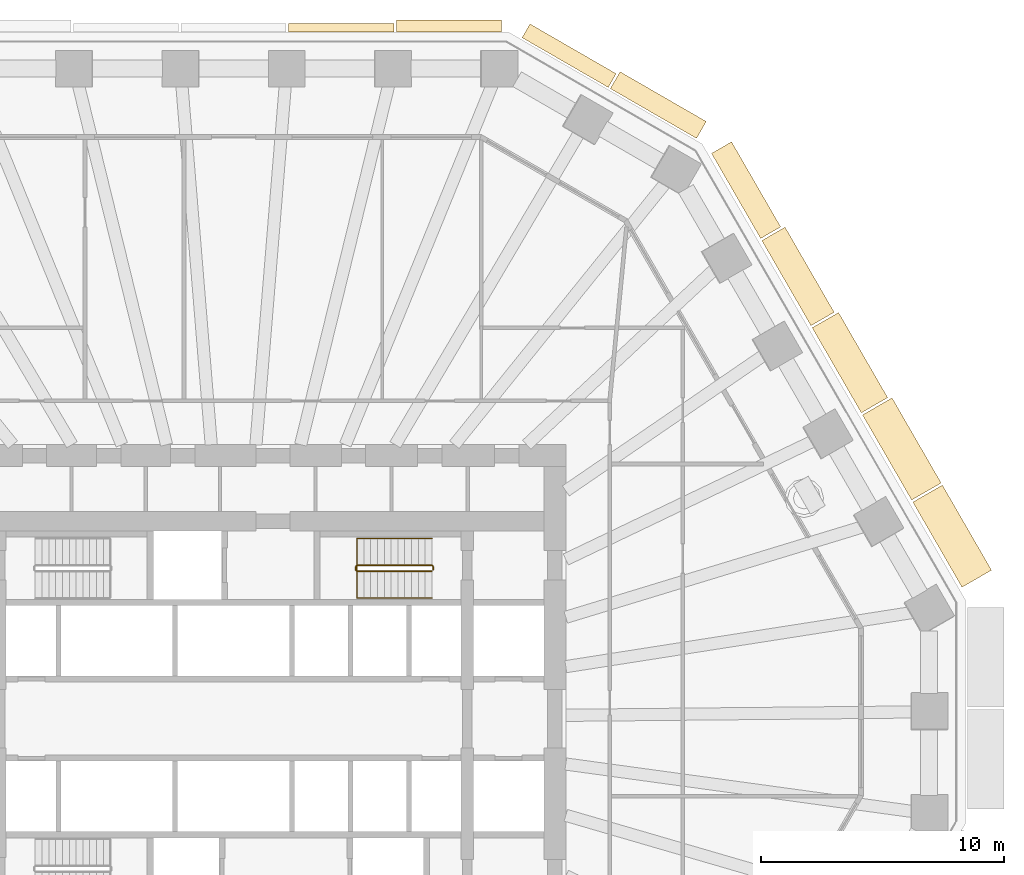
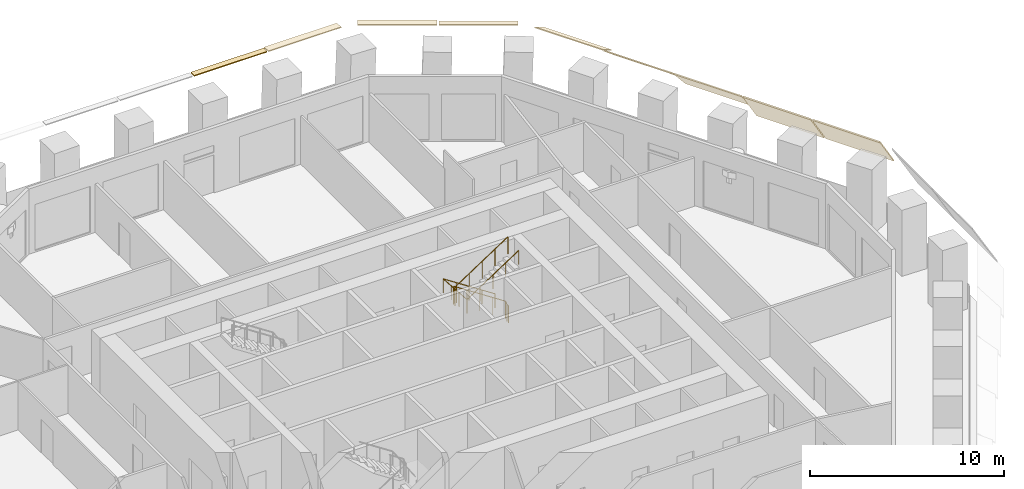
# One storey, part 11 of 13: 9 coverings, 2 railings.
"""IFC4 building model written with IfcOpenShell, lengths in metres."""

from ifc_helpers import new_model, si_unit, direction, frame, origin, origin_2d, place, context, subcontext, project, spatial, polyline, circle, outline, extrude, material, layer, layer_set, type_object, element, save


model = new_model("IFC4")

# Units and contexts
model_context = context("Model", 3, precision=1e-05, world=origin(), true_north=direction((0.0, 1.0)))
body_context = subcontext(model_context, "Body", "Model", "MODEL_VIEW")
ifc_project = project(units=[si_unit("LENGTHUNIT", "METRE"), si_unit("AREAUNIT", "SQUARE_METRE"), si_unit("VOLUMEUNIT", "CUBIC_METRE"), si_unit("PLANEANGLEUNIT", "RADIAN"), si_unit("MASSUNIT", "GRAM", prefix="KILO")], contexts=[model_context])

# Site, building, storey
site_placement = place(None, origin())
site = spatial("IfcSite", under=ifc_project, at=site_placement, CompositionType="ELEMENT")
building_placement = place(site_placement, origin())
building = spatial("IfcBuilding", under=site, at=building_placement, Name="Frailejon Research Tower", CompositionType="ELEMENT")
storey_placement = place(building_placement, frame((0.0, 0.0, 23.39990234375)))
storey = spatial("IfcBuildingStorey", under=building, at=storey_placement, Name="L05", CompositionType="ELEMENT", Elevation=23.39990234375)

# Coverings
ifc_material_1 = material(Name="Precast concrete C50/60", Category="concrete")
ifc_layer_1 = layer(ifc_material_1, 0.06005859375)
ifc_layer_set_1 = layer_set([ifc_layer_1], Name="Brim blade depth 1100")
covering_type_1 = type_object("IfcCoveringType", Name="Brim blade depth 1100", PredefinedType="CLADDING", material=ifc_layer_set_1)
covering_1_placement = place(storey_placement, frame((21.7041015625, 19.63720703125, 4.25), z_axis=(0.500005682111, -0.866022123192, 0.0), x_axis=(0.866022123192, 0.500005682111, 0.0)))
element("IfcCovering", 1, at=covering_1_placement, inside=storey, type_object=covering_type_1, Name="Brim blade L05", PredefinedType="CLADDING", context=body_context, shape_type="SweptSolid", body=[
    extrude(outline(polyline([(0.0, -0.078369140625), (1.10009765625, -1.001220703125), (1.10009765625, -0.923095703125), (0.0, 0.0), (0.0, -0.078369140625)])), origin(), (0.0, 0.0, 1.0), 4.0361328125),
])
ifc_material_2 = material(Name="Precast concrete C50/60", Category="concrete")
ifc_layer_2 = layer(ifc_material_2, 0.06005859375)
ifc_layer_set_2 = layer_set([ifc_layer_2], Name="Brim blade depth 1250")
covering_type_2 = type_object("IfcCoveringType", Name="Brim blade depth 1250", PredefinedType="CLADDING", material=ifc_layer_set_2)
covering_2_placement = place(storey_placement, frame((23.772216796875, 16.05517578125, 4.25), z_axis=(0.500005682111, -0.866022123192, 0.0), x_axis=(0.866022123192, 0.500005682111, 0.0)))
element("IfcCovering", 2, at=covering_2_placement, inside=storey, type_object=covering_type_2, Name="Brim blade L05", PredefinedType="CLADDING", context=body_context, shape_type="SweptSolid", body=[
    extrude(outline(polyline([(0.0, -0.0888671875), (1.25, -1.452880859375), (1.25, -1.364013671875), (0.0, 0.0), (0.0, -0.0888671875)])), origin(), (0.0, 0.0, 1.0), 4.0361328125),
])
ifc_material_3 = material(Name="Precast concrete C50/60", Category="concrete")
ifc_layer_3 = layer(ifc_material_3, 0.06005859375)
ifc_layer_set_3 = layer_set([ifc_layer_3], Name="Brim blade depth 1400")
covering_type_3 = type_object("IfcCoveringType", Name="Brim blade depth 1400", PredefinedType="CLADDING", material=ifc_layer_set_3)
for number, where, z_axis, x_axis, name in (
    (3, (27.908203125, 8.89111328125, 4.25), (0.500005682111, -0.866022123192, 0.0), (0.866022123192, 0.500005682111, 0.0), "Brim blade L05"),
    (4, (25.840087890625, 12.47314453125, 4.25), (0.49998754911, -0.86603259219, 0.0), (0.86603259219, 0.49998754911, 0.0), "Brim blade L05"),
):
    element("IfcCovering", number, at=place(storey_placement, frame(where, z_axis=z_axis, x_axis=x_axis)), inside=storey, type_object=covering_type_3, Name=name, PredefinedType="CLADDING", context=body_context, shape_type="SweptSolid", body=[
        extrude(outline(polyline([(0.0, -0.1044921875), (1.39990234375, -2.10400390625), (1.39990234375, -1.99951171875), (0.0, 0.0), (0.0, -0.1044921875)])), origin(), (0.0, 0.0, 1.0), 4.0361328125),
    ])
ifc_material_4 = material(Name="Precast concrete C50/60", Category="concrete")
ifc_layer_4 = layer(ifc_material_4, 0.06005859375)
ifc_layer_set_4 = layer_set([ifc_layer_4], Name="Brim blade depth 350")
covering_type_4 = type_object("IfcCoveringType", Name="Brim blade depth 350", PredefinedType="CLADDING", material=ifc_layer_set_4)
covering_3_placement = place(storey_placement, frame((2.26171875, 28.199951171875, 4.25), z_axis=(1.0, 0.0, 0.0), x_axis=(0.0, 1.0, 0.0)))
element("IfcCovering", 5, at=covering_3_placement, inside=storey, type_object=covering_type_4, Name="Brim blade L05", PredefinedType="CLADDING", context=body_context, shape_type="SweptSolid", body=[
    extrude(outline(polyline([(0.0, -0.06005859375), (0.35009765625, -0.06005859375), (0.35009765625, 0.0), (0.0, 0.0), (0.0, -0.06005859375)])), origin(), (0.0, 0.0, 1.0), 4.323486328125),
])
ifc_material_5 = material(Name="Precast concrete C50/60", Category="concrete")
ifc_layer_5 = layer(ifc_material_5, 0.06005859375)
ifc_layer_set_5 = layer_set([ifc_layer_5], Name="Brim blade depth 500")
covering_type_5 = type_object("IfcCoveringType", Name="Brim blade depth 500", PredefinedType="CLADDING", material=ifc_layer_set_5)
covering_4_placement = place(storey_placement, frame((6.685302734375, 28.199951171875, 4.25), z_axis=(1.0, 0.0, 0.0), x_axis=(0.0, 1.0, 0.0)))
element("IfcCovering", 6, at=covering_4_placement, inside=storey, type_object=covering_type_5, Name="Brim blade L05", PredefinedType="CLADDING", context=body_context, shape_type="SweptSolid", body=[
    extrude(outline(polyline([(0.0, -0.060546875), (0.5, -0.130859375), (0.5, -0.0703125), (0.0, 0.0), (0.0, -0.060546875)])), origin(), (0.0, 0.0, 1.0), 4.323486328125),
])
ifc_material_6 = material(Name="Precast concrete C50/60", Category="concrete")
ifc_layer_6 = layer(ifc_material_6, 0.06005859375)
ifc_layer_set_6 = layer_set([ifc_layer_6], Name="Brim blade depth 650")
covering_type_6 = type_object("IfcCoveringType", Name="Brim blade depth 650", PredefinedType="CLADDING", material=ifc_layer_set_6)
covering_5_placement = place(storey_placement, frame((11.852294921875, 27.97412109375, 4.25), z_axis=(0.866021344981, -0.500007029989, 0.0), x_axis=(0.500007029989, 0.866021344981, 0.0)))
element("IfcCovering", 7, at=covering_5_placement, inside=storey, type_object=covering_type_6, Name="Brim blade L05", PredefinedType="CLADDING", context=body_context, shape_type="SweptSolid", body=[
    extrude(outline(polyline([(0.0, -0.0625), (0.64990234375, -0.248779296875), (0.64990234375, -0.186279296875), (0.0, 0.0), (0.0, -0.0625)])), origin(), (0.0, 0.0, 1.0), 4.08740234375),
])
ifc_material_7 = material(Name="Precast concrete C50/60", Category="concrete")
ifc_layer_7 = layer(ifc_material_7, 0.06005859375)
ifc_layer_set_7 = layer_set([ifc_layer_7], Name="Brim blade depth 800")
covering_type_7 = type_object("IfcCoveringType", Name="Brim blade depth 800", PredefinedType="CLADDING", material=ifc_layer_set_7)
covering_6_placement = place(storey_placement, frame((15.478759765625, 25.880126953125, 4.25), z_axis=(0.866021344981, -0.500007029989, 0.0), x_axis=(0.500007029989, 0.866021344981, 0.0)))
element("IfcCovering", 8, at=covering_6_placement, inside=storey, type_object=covering_type_7, Name="Brim blade L05", PredefinedType="CLADDING", context=body_context, shape_type="SweptSolid", body=[
    extrude(outline(polyline([(0.0, -0.065673828125), (0.800048828125, -0.421875), (0.800048828125, -0.356201171875), (0.0, 0.0), (0.0, -0.065673828125)])), origin(), (0.0, 0.0, 1.0), 4.08740234375),
])
ifc_material_8 = material(Name="Precast concrete C50/60", Category="concrete")
ifc_layer_8 = layer(ifc_material_8, 0.06005859375)
ifc_layer_set_8 = layer_set([ifc_layer_8], Name="Brim blade depth 950")
covering_type_8 = type_object("IfcCoveringType", Name="Brim blade depth 950", PredefinedType="CLADDING", material=ifc_layer_set_8)
covering_7_placement = place(storey_placement, frame((19.635986328125, 23.218994140625, 4.25), z_axis=(0.500005682111, -0.866022123192, 0.0), x_axis=(0.866022123192, 0.500005682111, 0.0)))
element("IfcCovering", 9, at=covering_7_placement, inside=storey, type_object=covering_type_8, Name="Brim blade L05", PredefinedType="CLADDING", context=body_context, shape_type="SweptSolid", body=[
    extrude(outline(polyline([(0.0, -0.07080078125), (0.949951171875, -0.664306640625), (0.949951171875, -0.593505859375), (0.0, 0.0), (0.0, -0.07080078125)])), origin(), (0.0, 0.0, 1.0), 4.0361328125),
])

# Railings
ifc_material_9 = material(Name="Stainless steel", Category="steel")
railing_type_1 = type_object("IfcRailingType", Name="Stair guard 1100", PredefinedType="GUARDRAIL", material=ifc_material_9)
railing_1_placement = place(storey_placement, frame((8.199951171875, 6.10009765625, 0.0)))
element("IfcRailing", 10, at=railing_1_placement, inside=storey, type_object=railing_type_1, Name="L05 ST3 stair guard 1", PredefinedType="GUARDRAIL", context=body_context, shape_type="SweptSolid", body=[
    extrude(circle(Radius=0.02392578125, at=origin_2d()), frame((0.0, 0.0, 1.076171875), z_axis=(0.0, 1.0, 0.0), x_axis=(-1.0, 0.0, 0.0)), (0.0, 0.0, 1.0), 0.14990234375),
    extrude(circle(Radius=0.02392578125, at=origin_2d()), frame((0.0, 0.14990234375, 1.076171875), z_axis=(-0.254653276557, 0.254653276557, 0.932900539971), x_axis=(-0.707106781187, -0.707106781187, 0.0)), (0.0, 0.0, 1.0), 0.196533203125),
    extrude(circle(Radius=0.02392578125, at=origin_2d()), frame((-0.050048828125, 0.199951171875, 1.25927734375), z_axis=(-0.836582707638, 0.0, 0.547840645882), x_axis=(0.0, -1.0, 0.0)), (0.0, 0.0, 1.0), 3.681396484375),
    extrude(circle(Radius=0.02392578125, at=origin_2d()), frame((-3.1298828125, 0.199951171875, 3.2763671875), z_axis=(-0.707106781187, -0.707106781187, 0.0), x_axis=(0.707106781187, -0.707106781187, 0.0)), (0.0, 0.0, 1.0), 0.07080078125),
    extrude(circle(Radius=0.02392578125, at=origin_2d()), frame((-3.179931640625, 0.14990234375, 3.2763671875), z_axis=(0.0, -1.0, 0.0), x_axis=(1.0, 0.0, 0.0)), (0.0, 0.0, 1.0), 0.14990234375),
    extrude(circle(Radius=0.02392578125, at=origin_2d()), frame((-3.179931640625, 0.0, 3.2763671875), z_axis=(0.254653276557, -0.254653276557, 0.932900539971), x_axis=(0.707106781187, 0.707106781187, 0.0)), (0.0, 0.0, 1.0), 0.196533203125),
    extrude(circle(Radius=0.02392578125, at=origin_2d()), frame((-3.1298828125, -0.050048828125, 3.45947265625), z_axis=(0.836613101238, 0.0, 0.547794230379), x_axis=(0.0, 1.0, 0.0)), (0.0, 0.0, 1.0), 3.681396484375),
    extrude(circle(Radius=0.02099609375, at=origin_2d()), origin(), (0.0, 0.0, 1.0), 1.052001953125),
    extrude(circle(Radius=0.02099609375, at=origin_2d()), frame((0.0, 0.14990234375, 0.0)), (0.0, 0.0, 1.0), 1.052001953125),
    extrude(circle(Radius=0.02099609375, at=origin_2d()), frame((-0.050048828125, 0.199951171875, 0.183349609375)), (0.0, 0.0, 1.0), 1.052001953125),
    extrude(circle(Radius=0.02099609375, at=origin_2d()), frame((-0.820068359375, 0.199951171875, 0.6875)), (0.0, 0.0, 1.0), 1.052001953125),
    extrude(circle(Radius=0.02099609375, at=origin_2d()), frame((-1.58984375, 0.199951171875, 1.19189453125)), (0.0, 0.0, 1.0), 1.052001953125),
    extrude(circle(Radius=0.02099609375, at=origin_2d()), frame((-2.35986328125, 0.199951171875, 1.696044921875)), (0.0, 0.0, 1.0), 1.052001953125),
    extrude(circle(Radius=0.02099609375, at=origin_2d()), frame((-3.1298828125, 0.199951171875, 2.2001953125)), (0.0, 0.0, 1.0), 1.052001953125),
    extrude(circle(Radius=0.02099609375, at=origin_2d()), frame((-3.179931640625, 0.14990234375, 2.2001953125)), (0.0, 0.0, 1.0), 1.052001953125),
    extrude(circle(Radius=0.02099609375, at=origin_2d()), frame((-3.179931640625, 0.0, 2.2001953125)), (0.0, 0.0, 1.0), 1.052001953125),
    extrude(circle(Radius=0.02099609375, at=origin_2d()), frame((-3.1298828125, -0.050048828125, 2.383544921875)), (0.0, 0.0, 1.0), 1.052001953125),
    extrude(circle(Radius=0.02099609375, at=origin_2d()), frame((-2.35986328125, -0.050048828125, 2.8876953125)), (0.0, 0.0, 1.0), 1.052001953125),
    extrude(circle(Radius=0.02099609375, at=origin_2d()), frame((-1.58984375, -0.050048828125, 3.391845703125)), (0.0, 0.0, 1.0), 1.052001953125),
    extrude(circle(Radius=0.02099609375, at=origin_2d()), frame((-0.820068359375, -0.050048828125, 3.89599609375)), (0.0, 0.0, 1.0), 1.052001953125),
    extrude(circle(Radius=0.02099609375, at=origin_2d()), frame((-0.050048828125, -0.050048828125, 4.400146484375)), (0.0, 0.0, 1.0), 1.052001953125),
])
ifc_material_10 = material(Name="Stainless steel", Category="steel")
railing_type_2 = type_object("IfcRailingType", Name="Stair handrail 900", PredefinedType="HANDRAIL", material=ifc_material_10)
railing_2_placement = place(storey_placement, frame((8.14990234375, 7.39990234375, 0.183349609375)))
element("IfcRailing", 11, at=railing_2_placement, inside=storey, type_object=railing_type_2, Name="L05 ST3 stair handrail 1", PredefinedType="HANDRAIL", context=body_context, shape_type="SweptSolid", body=[
    extrude(circle(Radius=0.02392578125, at=origin_2d()), frame((0.0, 0.0, 0.8759765625), z_axis=(-0.836582707638, 0.0, 0.547840645882), x_axis=(0.0, -1.0, 0.0)), (0.0, 0.0, 1.0), 3.681396484375),
    extrude(circle(Radius=0.02392578125, at=origin_2d()), frame((-3.079833984375, 0.0, 2.892578125), z_axis=(0.0, -0.99721134034, 0.074629368868), x_axis=(1.0, 0.0, 0.0)), (0.0, 0.0, 1.0), 2.456787109375),
    extrude(circle(Radius=0.02392578125, at=origin_2d()), frame((-3.079833984375, -2.449951171875, 3.076171875), z_axis=(0.836613101238, 0.0, 0.547794230379), x_axis=(0.0, 1.0, 0.0)), (0.0, 0.0, 1.0), 3.681396484375),
    extrude(circle(Radius=0.02099609375, at=origin_2d()), origin(), (0.0, 0.0, 1.0), 0.851806640625),
    extrude(circle(Radius=0.02099609375, at=origin_2d()), frame((-0.77001953125, 0.0, 0.504150390625)), (0.0, 0.0, 1.0), 0.851806640625),
    extrude(circle(Radius=0.02099609375, at=origin_2d()), frame((-1.5400390625, 0.0, 1.00830078125)), (0.0, 0.0, 1.0), 0.851806640625),
    extrude(circle(Radius=0.02099609375, at=origin_2d()), frame((-2.309814453125, 0.0, 1.5126953125)), (0.0, 0.0, 1.0), 0.851806640625),
    extrude(circle(Radius=0.02099609375, at=origin_2d()), frame((-3.079833984375, 0.0, 2.016845703125)), (0.0, 0.0, 1.0), 0.851806640625),
    extrude(circle(Radius=0.02099609375, at=origin_2d()), frame((-3.079833984375, -0.816650390625, 2.077880859375)), (0.0, 0.0, 1.0), 0.851806640625),
    extrude(circle(Radius=0.02099609375, at=origin_2d()), frame((-3.079833984375, -1.63330078125, 2.13916015625)), (0.0, 0.0, 1.0), 0.851806640625),
    extrude(circle(Radius=0.02099609375, at=origin_2d()), frame((-3.079833984375, -2.449951171875, 2.2001953125)), (0.0, 0.0, 1.0), 0.851806640625),
    extrude(circle(Radius=0.02099609375, at=origin_2d()), frame((-2.309814453125, -2.449951171875, 2.704345703125)), (0.0, 0.0, 1.0), 0.851806640625),
    extrude(circle(Radius=0.02099609375, at=origin_2d()), frame((-1.5400390625, -2.449951171875, 3.20849609375)), (0.0, 0.0, 1.0), 0.851806640625),
    extrude(circle(Radius=0.02099609375, at=origin_2d()), frame((-0.77001953125, -2.449951171875, 3.712646484375)), (0.0, 0.0, 1.0), 0.851806640625),
    extrude(circle(Radius=0.02099609375, at=origin_2d()), frame((0.0, -2.449951171875, 4.216796875)), (0.0, 0.0, 1.0), 0.851806640625),
])

save(model, "model.ifc")
